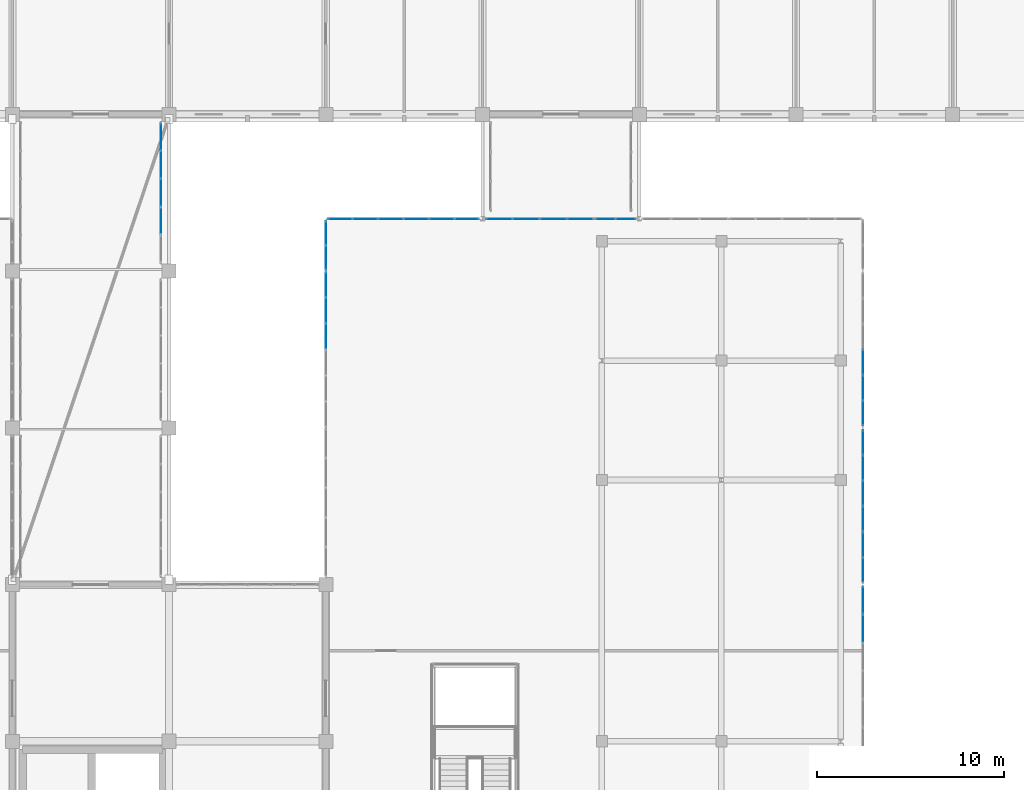
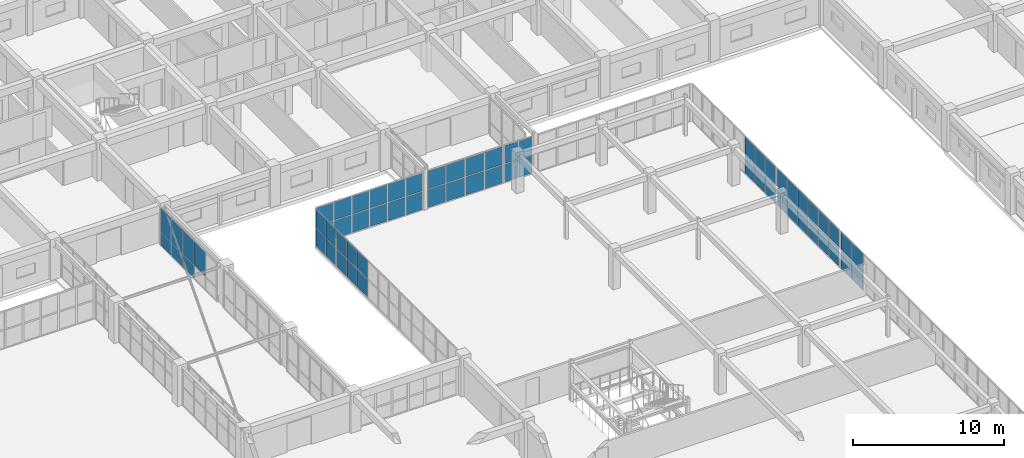
# One storey, part 155 of 200: 63 plates, 9 elements without a shape of their own.
"""IFC4 building model written with IfcOpenShell, lengths in metres."""

from ifc_helpers import new_model, si_unit, direction, frame, origin, origin_2d, place, context, subcontext, project, spatial, rectangle, extrude, material, layer, layer_set, type_object, element, aggregate, save


model = new_model("IFC4")

# Units and contexts
model_context = context("Model", 3, precision=1e-05, world=origin(), true_north=direction((0.0, 1.0)))
body_context = subcontext(model_context, "Body", "Model", "MODEL_VIEW")
ifc_project = project(units=[si_unit("LENGTHUNIT", "METRE"), si_unit("AREAUNIT", "SQUARE_METRE"), si_unit("VOLUMEUNIT", "CUBIC_METRE"), si_unit("PLANEANGLEUNIT", "RADIAN"), si_unit("MASSUNIT", "GRAM", prefix="KILO")], contexts=[model_context])

# Site, building, storey
site_placement = place(None, origin())
site = spatial("IfcSite", under=ifc_project, at=site_placement, CompositionType="ELEMENT")
building_placement = place(site_placement, origin())
building = spatial("IfcBuilding", under=site, at=building_placement, Name="Trelvath General Hospital", CompositionType="ELEMENT")
storey_placement = place(building_placement, frame((0.0, 0.0, 4.800048828125)))
storey = spatial("IfcBuildingStorey", under=building, at=storey_placement, Name="L01", CompositionType="ELEMENT", Elevation=4.800048828125)

# Curtain wall, plates
ifc_material_1 = material(Name="Anodised aluminium and low-E glass", Category="aluminium")
ifc_layer_1 = layer(ifc_material_1, 0.14990234375)
ifc_layer_set_1 = layer_set([ifc_layer_1], Name="Anodised aluminium and low-E glass")
curtain_wall_type_1 = type_object("IfcCurtainWallType", Name="CW CrystalCube 817 306 15", PredefinedType="USERDEFINED", material=ifc_layer_set_1)
curtain_wall_1_placement = place(storey_placement, origin())
curtain_wall_1 = element("IfcCurtainWall", 1, at=curtain_wall_1_placement, inside=storey, type_object=curtain_wall_type_1, Name="Crystal Cube Curtain Wall CUBE-E-T0 N1 L01", ObjectType="Unitised Glazed Curtain Wall", PredefinedType="USERDEFINED")
ifc_material_2 = material(Name="Low-E laminated glass", Category="glass")
ifc_layer_2 = layer(ifc_material_2, 0.028076171875)
ifc_layer_set_2 = layer_set([ifc_layer_2], Name="Low-E laminated glass")
plate_type = type_object("IfcPlateType", Name="CurtainPanel Glass28", PredefinedType="CURTAIN_PANEL", material=ifc_layer_set_2)
plate_1_placement = place(storey_placement, frame((93.17578125, 86.800048828125, 0.06005859375), z_axis=(0.0, 0.0, 1.0), x_axis=(1.0, 0.0, 0.0)))
plate_1 = element("IfcPlate", 2, at=plate_1_placement, type_object=plate_type, Name="CW-155 panel 1.1", PredefinedType="CURTAIN_PANEL", context=body_context, shape_type="SweptSolid", body=[
    extrude(rectangle(XDim=1.271728515625, YDim=0.028076171875, at=origin_2d()), origin(), (0.0, 0.0, 1.0), 1.43994140625),
])
plate_2_placement = place(storey_placement, frame((93.17578125, 86.800048828125, 1.56005859375), z_axis=(0.0, 0.0, 1.0), x_axis=(1.0, 0.0, 0.0)))
plate_2 = element("IfcPlate", 3, at=plate_2_placement, type_object=plate_type, Name="CW-155 panel 1.2", PredefinedType="CURTAIN_PANEL", context=body_context, shape_type="SweptSolid", body=[
    extrude(rectangle(XDim=1.271728515625, YDim=0.028076171875, at=origin_2d()), origin(), (0.0, 0.0, 1.0), 1.43994140625),
])
plate_3_placement = place(storey_placement, frame((94.5224609375, 86.800048828125, 0.06005859375), z_axis=(0.0, 0.0, 1.0), x_axis=(1.0, 0.0, 0.0)))
plate_3 = element("IfcPlate", 4, at=plate_3_placement, type_object=plate_type, Name="CW-155 panel 2.1", PredefinedType="CURTAIN_PANEL", context=body_context, shape_type="SweptSolid", body=[
    extrude(rectangle(XDim=1.3017578125, YDim=0.028076171875, at=origin_2d()), origin(), (0.0, 0.0, 1.0), 1.43994140625),
])
plate_4_placement = place(storey_placement, frame((94.5224609375, 86.800048828125, 1.56005859375), z_axis=(0.0, 0.0, 1.0), x_axis=(1.0, 0.0, 0.0)))
plate_4 = element("IfcPlate", 5, at=plate_4_placement, type_object=plate_type, Name="CW-155 panel 2.2", PredefinedType="CURTAIN_PANEL", context=body_context, shape_type="SweptSolid", body=[
    extrude(rectangle(XDim=1.3017578125, YDim=0.028076171875, at=origin_2d()), origin(), (0.0, 0.0, 1.0), 1.43994140625),
])
plate_5_placement = place(storey_placement, frame((95.88427734375, 86.800048828125, 0.06005859375), z_axis=(0.0, 0.0, 1.0), x_axis=(1.0, 0.0, 0.0)))
plate_5 = element("IfcPlate", 6, at=plate_5_placement, type_object=plate_type, Name="CW-155 panel 3.1", PredefinedType="CURTAIN_PANEL", context=body_context, shape_type="SweptSolid", body=[
    extrude(rectangle(XDim=1.3017578125, YDim=0.028076171875, at=origin_2d()), origin(), (0.0, 0.0, 1.0), 1.43994140625),
])
plate_6_placement = place(storey_placement, frame((95.88427734375, 86.800048828125, 1.56005859375), z_axis=(0.0, 0.0, 1.0), x_axis=(1.0, 0.0, 0.0)))
plate_6 = element("IfcPlate", 7, at=plate_6_placement, type_object=plate_type, Name="CW-155 panel 3.2", PredefinedType="CURTAIN_PANEL", context=body_context, shape_type="SweptSolid", body=[
    extrude(rectangle(XDim=1.3017578125, YDim=0.028076171875, at=origin_2d()), origin(), (0.0, 0.0, 1.0), 1.43994140625),
])
plate_7_placement = place(storey_placement, frame((97.245849609375, 86.800048828125, 0.06005859375), z_axis=(0.0, 0.0, 1.0), x_axis=(1.0, 0.0, 0.0)))
plate_7 = element("IfcPlate", 8, at=plate_7_placement, type_object=plate_type, Name="CW-155 panel 4.1", PredefinedType="CURTAIN_PANEL", context=body_context, shape_type="SweptSolid", body=[
    extrude(rectangle(XDim=1.3017578125, YDim=0.028076171875, at=origin_2d()), origin(), (0.0, 0.0, 1.0), 1.43994140625),
])
plate_8_placement = place(storey_placement, frame((97.245849609375, 86.800048828125, 1.56005859375), z_axis=(0.0, 0.0, 1.0), x_axis=(1.0, 0.0, 0.0)))
plate_8 = element("IfcPlate", 9, at=plate_8_placement, type_object=plate_type, Name="CW-155 panel 4.2", PredefinedType="CURTAIN_PANEL", context=body_context, shape_type="SweptSolid", body=[
    extrude(rectangle(XDim=1.3017578125, YDim=0.028076171875, at=origin_2d()), origin(), (0.0, 0.0, 1.0), 1.43994140625),
])
plate_9_placement = place(storey_placement, frame((98.607421875, 86.800048828125, 0.06005859375), z_axis=(0.0, 0.0, 1.0), x_axis=(1.0, 0.0, 0.0)))
plate_9 = element("IfcPlate", 10, at=plate_9_placement, type_object=plate_type, Name="CW-155 panel 5.1", PredefinedType="CURTAIN_PANEL", context=body_context, shape_type="SweptSolid", body=[
    extrude(rectangle(XDim=1.3017578125, YDim=0.028076171875, at=origin_2d()), origin(), (0.0, 0.0, 1.0), 1.43994140625),
])
plate_10_placement = place(storey_placement, frame((98.607421875, 86.800048828125, 1.56005859375), z_axis=(0.0, 0.0, 1.0), x_axis=(1.0, 0.0, 0.0)))
plate_10 = element("IfcPlate", 11, at=plate_10_placement, type_object=plate_type, Name="CW-155 panel 5.2", PredefinedType="CURTAIN_PANEL", context=body_context, shape_type="SweptSolid", body=[
    extrude(rectangle(XDim=1.3017578125, YDim=0.028076171875, at=origin_2d()), origin(), (0.0, 0.0, 1.0), 1.43994140625),
])
plate_11_placement = place(storey_placement, frame((99.9541015625, 86.800048828125, 0.06005859375), z_axis=(0.0, 0.0, 1.0), x_axis=(1.0, 0.0, 0.0)))
plate_11 = element("IfcPlate", 12, at=plate_11_placement, type_object=plate_type, Name="CW-155 panel 6.1", PredefinedType="CURTAIN_PANEL", context=body_context, shape_type="SweptSolid", body=[
    extrude(rectangle(XDim=1.271728515625, YDim=0.028076171875, at=origin_2d()), origin(), (0.0, 0.0, 1.0), 1.43994140625),
])
plate_12_placement = place(storey_placement, frame((99.9541015625, 86.800048828125, 1.56005859375), z_axis=(0.0, 0.0, 1.0), x_axis=(1.0, 0.0, 0.0)))
plate_12 = element("IfcPlate", 13, at=plate_12_placement, type_object=plate_type, Name="CW-155 panel 6.2", PredefinedType="CURTAIN_PANEL", context=body_context, shape_type="SweptSolid", body=[
    extrude(rectangle(XDim=1.271728515625, YDim=0.028076171875, at=origin_2d()), origin(), (0.0, 0.0, 1.0), 1.43994140625),
])
aggregate(curtain_wall_1, [plate_1, plate_2, plate_3, plate_4, plate_5, plate_6, plate_7, plate_8, plate_9, plate_10, plate_11, plate_12])

ifc_material_3 = material(Name="Anodised aluminium and low-E glass", Category="aluminium")
ifc_layer_3 = layer(ifc_material_3, 0.14990234375)
ifc_layer_set_3 = layer_set([ifc_layer_3], Name="Anodised aluminium and low-E glass")
curtain_wall_type_2 = type_object("IfcCurtainWallType", Name="CW CrystalCube 583 306 15", PredefinedType="USERDEFINED", material=ifc_layer_set_3)
curtain_wall_2_placement = place(storey_placement, origin())
curtain_wall_2 = element("IfcCurtainWall", 14, at=curtain_wall_2_placement, inside=storey, type_object=curtain_wall_type_2, Name="Crystal Cube Curtain Wall CUBE-E-T0 N2 L01", ObjectType="Unitised Glazed Curtain Wall", PredefinedType="USERDEFINED")
plate_13_placement = place(storey_placement, frame((101.69384765625, 86.800048828125, 0.06005859375), z_axis=(0.0, 0.0, 1.0), x_axis=(1.0, 0.0, 0.0)))
plate_13 = element("IfcPlate", 15, at=plate_13_placement, type_object=plate_type, Name="CW-156 panel 1.1", PredefinedType="CURTAIN_PANEL", context=body_context, shape_type="SweptSolid", body=[
    extrude(rectangle(XDim=1.367431640625, YDim=0.028076171875, at=origin_2d()), origin(), (0.0, 0.0, 1.0), 1.43994140625),
])
plate_14_placement = place(storey_placement, frame((101.69384765625, 86.800048828125, 1.56005859375), z_axis=(0.0, 0.0, 1.0), x_axis=(1.0, 0.0, 0.0)))
plate_14 = element("IfcPlate", 16, at=plate_14_placement, type_object=plate_type, Name="CW-156 panel 1.2", PredefinedType="CURTAIN_PANEL", context=body_context, shape_type="SweptSolid", body=[
    extrude(rectangle(XDim=1.367431640625, YDim=0.028076171875, at=origin_2d()), origin(), (0.0, 0.0, 1.0), 1.43994140625),
])
plate_15_placement = place(storey_placement, frame((103.13623046875, 86.800048828125, 0.06005859375), z_axis=(0.0, 0.0, 1.0), x_axis=(1.0, 0.0, 0.0)))
plate_15 = element("IfcPlate", 17, at=plate_15_placement, type_object=plate_type, Name="CW-156 panel 2.1", PredefinedType="CURTAIN_PANEL", context=body_context, shape_type="SweptSolid", body=[
    extrude(rectangle(XDim=1.3974609375, YDim=0.028076171875, at=origin_2d()), origin(), (0.0, 0.0, 1.0), 1.43994140625),
])
plate_16_placement = place(storey_placement, frame((103.13623046875, 86.800048828125, 1.56005859375), z_axis=(0.0, 0.0, 1.0), x_axis=(1.0, 0.0, 0.0)))
plate_16 = element("IfcPlate", 18, at=plate_16_placement, type_object=plate_type, Name="CW-156 panel 2.2", PredefinedType="CURTAIN_PANEL", context=body_context, shape_type="SweptSolid", body=[
    extrude(rectangle(XDim=1.3974609375, YDim=0.028076171875, at=origin_2d()), origin(), (0.0, 0.0, 1.0), 1.43994140625),
])
plate_17_placement = place(storey_placement, frame((104.59375, 86.800048828125, 0.06005859375), z_axis=(0.0, 0.0, 1.0), x_axis=(1.0, 0.0, 0.0)))
plate_17 = element("IfcPlate", 19, at=plate_17_placement, type_object=plate_type, Name="CW-156 panel 3.1", PredefinedType="CURTAIN_PANEL", context=body_context, shape_type="SweptSolid", body=[
    extrude(rectangle(XDim=1.3974609375, YDim=0.028076171875, at=origin_2d()), origin(), (0.0, 0.0, 1.0), 1.43994140625),
])
plate_18_placement = place(storey_placement, frame((104.59375, 86.800048828125, 1.56005859375), z_axis=(0.0, 0.0, 1.0), x_axis=(1.0, 0.0, 0.0)))
plate_18 = element("IfcPlate", 20, at=plate_18_placement, type_object=plate_type, Name="CW-156 panel 3.2", PredefinedType="CURTAIN_PANEL", context=body_context, shape_type="SweptSolid", body=[
    extrude(rectangle(XDim=1.3974609375, YDim=0.028076171875, at=origin_2d()), origin(), (0.0, 0.0, 1.0), 1.43994140625),
])
plate_19_placement = place(storey_placement, frame((106.0361328125, 86.800048828125, 0.06005859375), z_axis=(0.0, 0.0, 1.0), x_axis=(1.0, 0.0, 0.0)))
plate_19 = element("IfcPlate", 21, at=plate_19_placement, type_object=plate_type, Name="CW-156 panel 4.1", PredefinedType="CURTAIN_PANEL", context=body_context, shape_type="SweptSolid", body=[
    extrude(rectangle(XDim=1.367431640625, YDim=0.028076171875, at=origin_2d()), origin(), (0.0, 0.0, 1.0), 1.43994140625),
])
plate_20_placement = place(storey_placement, frame((106.0361328125, 86.800048828125, 1.56005859375), z_axis=(0.0, 0.0, 1.0), x_axis=(1.0, 0.0, 0.0)))
plate_20 = element("IfcPlate", 22, at=plate_20_placement, type_object=plate_type, Name="CW-156 panel 4.2", PredefinedType="CURTAIN_PANEL", context=body_context, shape_type="SweptSolid", body=[
    extrude(rectangle(XDim=1.367431640625, YDim=0.028076171875, at=origin_2d()), origin(), (0.0, 0.0, 1.0), 1.43994140625),
])
aggregate(curtain_wall_2, [plate_13, plate_14, plate_15, plate_16, plate_17, plate_18, plate_19, plate_20])

ifc_material_4 = material(Name="Anodised aluminium and low-E glass", Category="aluminium")
ifc_layer_4 = layer(ifc_material_4, 0.14990234375)
ifc_layer_set_4 = layer_set([ifc_layer_4], Name="Anodised aluminium and low-E glass")
curtain_wall_type_3 = type_object("IfcCurtainWallType", Name="CW CrystalCube 223 306 15", PredefinedType="USERDEFINED", material=ifc_layer_set_4)
curtain_wall_3_placement = place(storey_placement, origin())
curtain_wall_3 = element("IfcCurtainWall", 23, at=curtain_wall_3_placement, inside=storey, type_object=curtain_wall_type_3, Name="Crystal Cube Curtain Wall CUBE-E-T0 N3 L01", ObjectType="Unitised Glazed Curtain Wall", PredefinedType="USERDEFINED")
plate_21_placement = place(storey_placement, frame((107.392578125, 86.800048828125, 0.06005859375), z_axis=(0.0, 0.0, 1.0), x_axis=(1.0, 0.0, 0.0)))
plate_21 = element("IfcPlate", 24, at=plate_21_placement, type_object=plate_type, Name="CW-157 panel 1.1", PredefinedType="CURTAIN_PANEL", context=body_context, shape_type="SweptSolid", body=[
    extrude(rectangle(XDim=1.02490234375, YDim=0.028076171875, at=origin_2d()), origin(), (0.0, 0.0, 1.0), 1.43994140625),
])
plate_22_placement = place(storey_placement, frame((107.392578125, 86.800048828125, 1.56005859375), z_axis=(0.0, 0.0, 1.0), x_axis=(1.0, 0.0, 0.0)))
plate_22 = element("IfcPlate", 25, at=plate_22_placement, type_object=plate_type, Name="CW-157 panel 1.2", PredefinedType="CURTAIN_PANEL", context=body_context, shape_type="SweptSolid", body=[
    extrude(rectangle(XDim=1.02490234375, YDim=0.028076171875, at=origin_2d()), origin(), (0.0, 0.0, 1.0), 1.43994140625),
])
plate_23_placement = place(storey_placement, frame((108.4775390625, 86.800048828125, 0.06005859375), z_axis=(0.0, 0.0, 1.0), x_axis=(1.0, 0.0, 0.0)))
plate_23 = element("IfcPlate", 26, at=plate_23_placement, type_object=plate_type, Name="CW-157 panel 2.1", PredefinedType="CURTAIN_PANEL", context=body_context, shape_type="SweptSolid", body=[
    extrude(rectangle(XDim=1.02490234375, YDim=0.028076171875, at=origin_2d()), origin(), (0.0, 0.0, 1.0), 1.43994140625),
])
plate_24_placement = place(storey_placement, frame((108.4775390625, 86.800048828125, 1.56005859375), z_axis=(0.0, 0.0, 1.0), x_axis=(1.0, 0.0, 0.0)))
plate_24 = element("IfcPlate", 27, at=plate_24_placement, type_object=plate_type, Name="CW-157 panel 2.2", PredefinedType="CURTAIN_PANEL", context=body_context, shape_type="SweptSolid", body=[
    extrude(rectangle(XDim=1.02490234375, YDim=0.028076171875, at=origin_2d()), origin(), (0.0, 0.0, 1.0), 1.43994140625),
])
aggregate(curtain_wall_3, [plate_21, plate_22, plate_23, plate_24])

ifc_material_5 = material(Name="Anodised aluminium and low-E glass", Category="aluminium")
ifc_layer_5 = layer(ifc_material_5, 0.14990234375)
ifc_layer_set_5 = layer_set([ifc_layer_5], Name="Anodised aluminium and low-E glass")
curtain_wall_type_4 = type_object("IfcCurtainWallType", Name="CW CrystalCube 1664 306 15", PredefinedType="USERDEFINED", material=ifc_layer_set_5)
curtain_wall_4_placement = place(storey_placement, origin())
curtain_wall_4 = element("IfcCurtainWall", 28, at=curtain_wall_4_placement, inside=storey, type_object=curtain_wall_type_4, Name="Crystal Cube Curtain Wall CUBE-E-T0 E4 L01", ObjectType="Unitised Glazed Curtain Wall", PredefinedType="USERDEFINED")
plate_25_placement = place(storey_placement, frame((121.199951171875, 66.3486328125, 0.06005859375), z_axis=(0.0, 0.0, 1.0), x_axis=(0.0, -1.0, 0.0)))
plate_25 = element("IfcPlate", 29, at=plate_25_placement, type_object=plate_type, Name="CW-165 panel 1.1", PredefinedType="CURTAIN_PANEL", context=body_context, shape_type="SweptSolid", body=[
    extrude(rectangle(XDim=1.422607421875, YDim=0.028076171875, at=origin_2d()), origin(), (0.0, 0.0, 1.0), 1.43994140625),
])
plate_26_placement = place(storey_placement, frame((121.199951171875, 66.3486328125, 1.56005859375), z_axis=(0.0, 0.0, 1.0), x_axis=(0.0, -1.0, 0.0)))
plate_26 = element("IfcPlate", 30, at=plate_26_placement, type_object=plate_type, Name="CW-165 panel 1.2", PredefinedType="CURTAIN_PANEL", context=body_context, shape_type="SweptSolid", body=[
    extrude(rectangle(XDim=1.422607421875, YDim=0.028076171875, at=origin_2d()), origin(), (0.0, 0.0, 1.0), 1.43994140625),
])
plate_27_placement = place(storey_placement, frame((121.199951171875, 64.850830078125, 0.06005859375), z_axis=(0.0, 0.0, 1.0), x_axis=(0.0, -1.0, 0.0)))
plate_27 = element("IfcPlate", 31, at=plate_27_placement, type_object=plate_type, Name="CW-165 panel 2.1", PredefinedType="CURTAIN_PANEL", context=body_context, shape_type="SweptSolid", body=[
    extrude(rectangle(XDim=1.45263671875, YDim=0.028076171875, at=origin_2d()), origin(), (0.0, 0.0, 1.0), 1.43994140625),
])
plate_28_placement = place(storey_placement, frame((121.199951171875, 64.850830078125, 1.56005859375), z_axis=(0.0, 0.0, 1.0), x_axis=(0.0, -1.0, 0.0)))
plate_28 = element("IfcPlate", 32, at=plate_28_placement, type_object=plate_type, Name="CW-165 panel 2.2", PredefinedType="CURTAIN_PANEL", context=body_context, shape_type="SweptSolid", body=[
    extrude(rectangle(XDim=1.45263671875, YDim=0.028076171875, at=origin_2d()), origin(), (0.0, 0.0, 1.0), 1.43994140625),
])
aggregate(curtain_wall_4, [plate_25, plate_26, plate_27, plate_28])

ifc_material_6 = material(Name="Anodised aluminium and low-E glass", Category="aluminium")
ifc_layer_6 = layer(ifc_material_6, 0.14990234375)
ifc_layer_set_6 = layer_set([ifc_layer_6], Name="Anodised aluminium and low-E glass")
curtain_wall_type_5 = type_object("IfcCurtainWallType", Name="CW CrystalCube 824 306 15", PredefinedType="USERDEFINED", material=ifc_layer_set_6)
curtain_wall_5_placement = place(storey_placement, origin())
curtain_wall_5 = element("IfcCurtainWall", 33, at=curtain_wall_5_placement, inside=storey, type_object=curtain_wall_type_5, Name="Crystal Cube Curtain Wall CUBE-E-T0 E5 L01", ObjectType="Unitised Glazed Curtain Wall", PredefinedType="USERDEFINED")
plate_29_placement = place(storey_placement, frame((121.199951171875, 74.818359375, 0.06005859375), z_axis=(0.0, 0.0, 1.0), x_axis=(0.0, -1.0, 0.0)))
plate_29 = element("IfcPlate", 34, at=plate_29_placement, type_object=plate_type, Name="CW-166 panel 1.1", PredefinedType="CURTAIN_PANEL", context=body_context, shape_type="SweptSolid", body=[
    extrude(rectangle(XDim=1.283447265625, YDim=0.028076171875, at=origin_2d()), origin(), (0.0, 0.0, 1.0), 1.43994140625),
])
plate_30_placement = place(storey_placement, frame((121.199951171875, 74.818359375, 1.56005859375), z_axis=(0.0, 0.0, 1.0), x_axis=(0.0, -1.0, 0.0)))
plate_30 = element("IfcPlate", 35, at=plate_30_placement, type_object=plate_type, Name="CW-166 panel 1.2", PredefinedType="CURTAIN_PANEL", context=body_context, shape_type="SweptSolid", body=[
    extrude(rectangle(XDim=1.283447265625, YDim=0.028076171875, at=origin_2d()), origin(), (0.0, 0.0, 1.0), 1.43994140625),
])
plate_31_placement = place(storey_placement, frame((121.199951171875, 73.4599609375, 0.06005859375), z_axis=(0.0, 0.0, 1.0), x_axis=(0.0, -1.0, 0.0)))
plate_31 = element("IfcPlate", 36, at=plate_31_placement, type_object=plate_type, Name="CW-166 panel 2.1", PredefinedType="CURTAIN_PANEL", context=body_context, shape_type="SweptSolid", body=[
    extrude(rectangle(XDim=1.313232421875, YDim=0.028076171875, at=origin_2d()), origin(), (0.0, 0.0, 1.0), 1.43994140625),
])
plate_32_placement = place(storey_placement, frame((121.199951171875, 73.4599609375, 1.56005859375), z_axis=(0.0, 0.0, 1.0), x_axis=(0.0, -1.0, 0.0)))
plate_32 = element("IfcPlate", 37, at=plate_32_placement, type_object=plate_type, Name="CW-166 panel 2.2", PredefinedType="CURTAIN_PANEL", context=body_context, shape_type="SweptSolid", body=[
    extrude(rectangle(XDim=1.313232421875, YDim=0.028076171875, at=origin_2d()), origin(), (0.0, 0.0, 1.0), 1.43994140625),
])
plate_33_placement = place(storey_placement, frame((121.199951171875, 72.086669921875, 0.06005859375), z_axis=(0.0, 0.0, 1.0), x_axis=(0.0, -1.0, 0.0)))
plate_33 = element("IfcPlate", 38, at=plate_33_placement, type_object=plate_type, Name="CW-166 panel 3.1", PredefinedType="CURTAIN_PANEL", context=body_context, shape_type="SweptSolid", body=[
    extrude(rectangle(XDim=1.313232421875, YDim=0.028076171875, at=origin_2d()), origin(), (0.0, 0.0, 1.0), 1.43994140625),
])
plate_34_placement = place(storey_placement, frame((121.199951171875, 72.086669921875, 1.56005859375), z_axis=(0.0, 0.0, 1.0), x_axis=(0.0, -1.0, 0.0)))
plate_34 = element("IfcPlate", 39, at=plate_34_placement, type_object=plate_type, Name="CW-166 panel 3.2", PredefinedType="CURTAIN_PANEL", context=body_context, shape_type="SweptSolid", body=[
    extrude(rectangle(XDim=1.313232421875, YDim=0.028076171875, at=origin_2d()), origin(), (0.0, 0.0, 1.0), 1.43994140625),
])
plate_35_placement = place(storey_placement, frame((121.199951171875, 70.71337890625, 0.06005859375), z_axis=(0.0, 0.0, 1.0), x_axis=(0.0, -1.0, 0.0)))
plate_35 = element("IfcPlate", 40, at=plate_35_placement, type_object=plate_type, Name="CW-166 panel 4.1", PredefinedType="CURTAIN_PANEL", context=body_context, shape_type="SweptSolid", body=[
    extrude(rectangle(XDim=1.313232421875, YDim=0.028076171875, at=origin_2d()), origin(), (0.0, 0.0, 1.0), 1.43994140625),
])
plate_36_placement = place(storey_placement, frame((121.199951171875, 70.71337890625, 1.56005859375), z_axis=(0.0, 0.0, 1.0), x_axis=(0.0, -1.0, 0.0)))
plate_36 = element("IfcPlate", 41, at=plate_36_placement, type_object=plate_type, Name="CW-166 panel 4.2", PredefinedType="CURTAIN_PANEL", context=body_context, shape_type="SweptSolid", body=[
    extrude(rectangle(XDim=1.313232421875, YDim=0.028076171875, at=origin_2d()), origin(), (0.0, 0.0, 1.0), 1.43994140625),
])
plate_37_placement = place(storey_placement, frame((121.199951171875, 69.340087890625, 0.06005859375), z_axis=(0.0, 0.0, 1.0), x_axis=(0.0, -1.0, 0.0)))
plate_37 = element("IfcPlate", 42, at=plate_37_placement, type_object=plate_type, Name="CW-166 panel 5.1", PredefinedType="CURTAIN_PANEL", context=body_context, shape_type="SweptSolid", body=[
    extrude(rectangle(XDim=1.313232421875, YDim=0.028076171875, at=origin_2d()), origin(), (0.0, 0.0, 1.0), 1.43994140625),
])
plate_38_placement = place(storey_placement, frame((121.199951171875, 69.340087890625, 1.56005859375), z_axis=(0.0, 0.0, 1.0), x_axis=(0.0, -1.0, 0.0)))
plate_38 = element("IfcPlate", 43, at=plate_38_placement, type_object=plate_type, Name="CW-166 panel 5.2", PredefinedType="CURTAIN_PANEL", context=body_context, shape_type="SweptSolid", body=[
    extrude(rectangle(XDim=1.313232421875, YDim=0.028076171875, at=origin_2d()), origin(), (0.0, 0.0, 1.0), 1.43994140625),
])
plate_39_placement = place(storey_placement, frame((121.199951171875, 67.981689453125, 0.06005859375), z_axis=(0.0, 0.0, 1.0), x_axis=(0.0, -1.0, 0.0)))
plate_39 = element("IfcPlate", 44, at=plate_39_placement, type_object=plate_type, Name="CW-166 panel 6.1", PredefinedType="CURTAIN_PANEL", context=body_context, shape_type="SweptSolid", body=[
    extrude(rectangle(XDim=1.283447265625, YDim=0.028076171875, at=origin_2d()), origin(), (0.0, 0.0, 1.0), 1.43994140625),
])
plate_40_placement = place(storey_placement, frame((121.199951171875, 67.981689453125, 1.56005859375), z_axis=(0.0, 0.0, 1.0), x_axis=(0.0, -1.0, 0.0)))
plate_40 = element("IfcPlate", 45, at=plate_40_placement, type_object=plate_type, Name="CW-166 panel 6.2", PredefinedType="CURTAIN_PANEL", context=body_context, shape_type="SweptSolid", body=[
    extrude(rectangle(XDim=1.283447265625, YDim=0.028076171875, at=origin_2d()), origin(), (0.0, 0.0, 1.0), 1.43994140625),
])
aggregate(curtain_wall_5, [plate_29, plate_30, plate_31, plate_32, plate_33, plate_34, plate_35, plate_36, plate_37, plate_38, plate_39, plate_40])

curtain_wall_6_placement = place(storey_placement, origin())
curtain_wall_6 = element("IfcCurtainWall", 46, at=curtain_wall_6_placement, inside=storey, type_object=curtain_wall_type_5, Name="Crystal Cube Curtain Wall CUBE-E-T0 E6 L01", ObjectType="Unitised Glazed Curtain Wall", PredefinedType="USERDEFINED")
plate_41_placement = place(storey_placement, frame((121.199951171875, 79.11328125, 0.06005859375), z_axis=(0.0, 0.0, 1.0), x_axis=(0.0, -1.0, 0.0)))
plate_41 = element("IfcPlate", 47, at=plate_41_placement, type_object=plate_type, Name="CW-168 panel 4.1", PredefinedType="CURTAIN_PANEL", context=body_context, shape_type="SweptSolid", body=[
    extrude(rectangle(XDim=1.313232421875, YDim=0.028076171875, at=origin_2d()), origin(), (0.0, 0.0, 1.0), 1.43994140625),
])
plate_42_placement = place(storey_placement, frame((121.199951171875, 79.11328125, 1.56005859375), z_axis=(0.0, 0.0, 1.0), x_axis=(0.0, -1.0, 0.0)))
plate_42 = element("IfcPlate", 48, at=plate_42_placement, type_object=plate_type, Name="CW-168 panel 4.2", PredefinedType="CURTAIN_PANEL", context=body_context, shape_type="SweptSolid", body=[
    extrude(rectangle(XDim=1.313232421875, YDim=0.028076171875, at=origin_2d()), origin(), (0.0, 0.0, 1.0), 1.43994140625),
])
plate_43_placement = place(storey_placement, frame((121.199951171875, 77.739990234375, 0.06005859375), z_axis=(0.0, 0.0, 1.0), x_axis=(0.0, -1.0, 0.0)))
plate_43 = element("IfcPlate", 49, at=plate_43_placement, type_object=plate_type, Name="CW-168 panel 5.1", PredefinedType="CURTAIN_PANEL", context=body_context, shape_type="SweptSolid", body=[
    extrude(rectangle(XDim=1.313232421875, YDim=0.028076171875, at=origin_2d()), origin(), (0.0, 0.0, 1.0), 1.43994140625),
])
plate_44_placement = place(storey_placement, frame((121.199951171875, 77.739990234375, 1.56005859375), z_axis=(0.0, 0.0, 1.0), x_axis=(0.0, -1.0, 0.0)))
plate_44 = element("IfcPlate", 50, at=plate_44_placement, type_object=plate_type, Name="CW-168 panel 5.2", PredefinedType="CURTAIN_PANEL", context=body_context, shape_type="SweptSolid", body=[
    extrude(rectangle(XDim=1.313232421875, YDim=0.028076171875, at=origin_2d()), origin(), (0.0, 0.0, 1.0), 1.43994140625),
])
plate_45_placement = place(storey_placement, frame((121.199951171875, 76.381591796875, 0.06005859375), z_axis=(0.0, 0.0, 1.0), x_axis=(0.0, -1.0, 0.0)))
plate_45 = element("IfcPlate", 51, at=plate_45_placement, type_object=plate_type, Name="CW-168 panel 6.1", PredefinedType="CURTAIN_PANEL", context=body_context, shape_type="SweptSolid", body=[
    extrude(rectangle(XDim=1.283447265625, YDim=0.028076171875, at=origin_2d()), origin(), (0.0, 0.0, 1.0), 1.43994140625),
])
plate_46_placement = place(storey_placement, frame((121.199951171875, 76.381591796875, 1.56005859375), z_axis=(0.0, 0.0, 1.0), x_axis=(0.0, -1.0, 0.0)))
plate_46 = element("IfcPlate", 52, at=plate_46_placement, type_object=plate_type, Name="CW-168 panel 6.2", PredefinedType="CURTAIN_PANEL", context=body_context, shape_type="SweptSolid", body=[
    extrude(rectangle(XDim=1.283447265625, YDim=0.028076171875, at=origin_2d()), origin(), (0.0, 0.0, 1.0), 1.43994140625),
])
aggregate(curtain_wall_6, [plate_41, plate_42, plate_43, plate_44, plate_45, plate_46])

ifc_material_7 = material(Name="Anodised aluminium and low-E glass", Category="aluminium")
ifc_layer_7 = layer(ifc_material_7, 0.14990234375)
ifc_layer_set_7 = layer_set([ifc_layer_7], Name="Anodised aluminium and low-E glass")
curtain_wall_type_6 = type_object("IfcCurtainWallType", Name="CW CrystalCube 836 306 15", PredefinedType="USERDEFINED", material=ifc_layer_set_7)
curtain_wall_7_placement = place(storey_placement, origin())
curtain_wall_7 = element("IfcCurtainWall", 53, at=curtain_wall_7_placement, inside=storey, type_object=curtain_wall_type_6, Name="Crystal Cube Curtain Wall CUBE-E-T0 W6 L01", ObjectType="Unitised Glazed Curtain Wall", PredefinedType="USERDEFINED")
plate_47_placement = place(storey_placement, frame((92.39990234375, 80.49658203125, 0.06005859375), z_axis=(0.0, 0.0, 1.0), x_axis=(0.0, 1.0, 0.0)))
plate_47 = element("IfcPlate", 54, at=plate_47_placement, type_object=plate_type, Name="CW-169 panel 4.1", PredefinedType="CURTAIN_PANEL", context=body_context, shape_type="SweptSolid", body=[
    extrude(rectangle(XDim=1.333251953125, YDim=0.028076171875, at=origin_2d()), origin(), (0.0, 0.0, 1.0), 1.43994140625),
])
plate_48_placement = place(storey_placement, frame((92.39990234375, 80.49658203125, 1.56005859375), z_axis=(0.0, 0.0, 1.0), x_axis=(0.0, 1.0, 0.0)))
plate_48 = element("IfcPlate", 55, at=plate_48_placement, type_object=plate_type, Name="CW-169 panel 4.2", PredefinedType="CURTAIN_PANEL", context=body_context, shape_type="SweptSolid", body=[
    extrude(rectangle(XDim=1.333251953125, YDim=0.028076171875, at=origin_2d()), origin(), (0.0, 0.0, 1.0), 1.43994140625),
])
plate_49_placement = place(storey_placement, frame((92.39990234375, 81.889892578125, 0.06005859375), z_axis=(0.0, 0.0, 1.0), x_axis=(0.0, 1.0, 0.0)))
plate_49 = element("IfcPlate", 56, at=plate_49_placement, type_object=plate_type, Name="CW-169 panel 5.1", PredefinedType="CURTAIN_PANEL", context=body_context, shape_type="SweptSolid", body=[
    extrude(rectangle(XDim=1.333251953125, YDim=0.028076171875, at=origin_2d()), origin(), (0.0, 0.0, 1.0), 1.43994140625),
])
plate_50_placement = place(storey_placement, frame((92.39990234375, 81.889892578125, 1.56005859375), z_axis=(0.0, 0.0, 1.0), x_axis=(0.0, 1.0, 0.0)))
plate_50 = element("IfcPlate", 57, at=plate_50_placement, type_object=plate_type, Name="CW-169 panel 5.2", PredefinedType="CURTAIN_PANEL", context=body_context, shape_type="SweptSolid", body=[
    extrude(rectangle(XDim=1.333251953125, YDim=0.028076171875, at=origin_2d()), origin(), (0.0, 0.0, 1.0), 1.43994140625),
])
plate_51_placement = place(storey_placement, frame((92.39990234375, 83.268310546875, 0.06005859375), z_axis=(0.0, 0.0, 1.0), x_axis=(0.0, 1.0, 0.0)))
plate_51 = element("IfcPlate", 58, at=plate_51_placement, type_object=plate_type, Name="CW-169 panel 6.1", PredefinedType="CURTAIN_PANEL", context=body_context, shape_type="SweptSolid", body=[
    extrude(rectangle(XDim=1.30322265625, YDim=0.028076171875, at=origin_2d()), origin(), (0.0, 0.0, 1.0), 1.43994140625),
])
plate_52_placement = place(storey_placement, frame((92.39990234375, 83.268310546875, 1.56005859375), z_axis=(0.0, 0.0, 1.0), x_axis=(0.0, 1.0, 0.0)))
plate_52 = element("IfcPlate", 59, at=plate_52_placement, type_object=plate_type, Name="CW-169 panel 6.2", PredefinedType="CURTAIN_PANEL", context=body_context, shape_type="SweptSolid", body=[
    extrude(rectangle(XDim=1.30322265625, YDim=0.028076171875, at=origin_2d()), origin(), (0.0, 0.0, 1.0), 1.43994140625),
])
aggregate(curtain_wall_7, [plate_47, plate_48, plate_49, plate_50, plate_51, plate_52])

ifc_material_8 = material(Name="Anodised aluminium and low-E glass", Category="aluminium")
ifc_layer_8 = layer(ifc_material_8, 0.14990234375)
ifc_layer_set_8 = layer_set([ifc_layer_8], Name="Anodised aluminium and low-E glass")
curtain_wall_type_7 = type_object("IfcCurtainWallType", Name="CW CrystalCube 270 306 15", PredefinedType="USERDEFINED", material=ifc_layer_set_8)
curtain_wall_8_placement = place(storey_placement, origin())
curtain_wall_8 = element("IfcCurtainWall", 60, at=curtain_wall_8_placement, inside=storey, type_object=curtain_wall_type_7, Name="Crystal Cube Curtain Wall CUBE-E-T0 W7 L01", ObjectType="Unitised Glazed Curtain Wall", PredefinedType="USERDEFINED")
plate_53_placement = place(storey_placement, frame((92.39990234375, 84.7099609375, 0.06005859375), z_axis=(0.0, 0.0, 1.0), x_axis=(0.0, 1.0, 0.0)))
plate_53 = element("IfcPlate", 61, at=plate_53_placement, type_object=plate_type, Name="CW-171 panel 1.1", PredefinedType="CURTAIN_PANEL", context=body_context, shape_type="SweptSolid", body=[
    extrude(rectangle(XDim=1.260009765625, YDim=0.028076171875, at=origin_2d()), origin(), (0.0, 0.0, 1.0), 1.43994140625),
])
plate_54_placement = place(storey_placement, frame((92.39990234375, 84.7099609375, 1.56005859375), z_axis=(0.0, 0.0, 1.0), x_axis=(0.0, 1.0, 0.0)))
plate_54 = element("IfcPlate", 62, at=plate_54_placement, type_object=plate_type, Name="CW-171 panel 1.2", PredefinedType="CURTAIN_PANEL", context=body_context, shape_type="SweptSolid", body=[
    extrude(rectangle(XDim=1.260009765625, YDim=0.028076171875, at=origin_2d()), origin(), (0.0, 0.0, 1.0), 1.43994140625),
])
plate_55_placement = place(storey_placement, frame((92.39990234375, 86.030029296875, 0.06005859375), z_axis=(0.0, 0.0, 1.0), x_axis=(0.0, 1.0, 0.0)))
plate_55 = element("IfcPlate", 63, at=plate_55_placement, type_object=plate_type, Name="CW-171 panel 2.1", PredefinedType="CURTAIN_PANEL", context=body_context, shape_type="SweptSolid", body=[
    extrude(rectangle(XDim=1.260009765625, YDim=0.028076171875, at=origin_2d()), origin(), (0.0, 0.0, 1.0), 1.43994140625),
])
plate_56_placement = place(storey_placement, frame((92.39990234375, 86.030029296875, 1.56005859375), z_axis=(0.0, 0.0, 1.0), x_axis=(0.0, 1.0, 0.0)))
plate_56 = element("IfcPlate", 64, at=plate_56_placement, type_object=plate_type, Name="CW-171 panel 2.2", PredefinedType="CURTAIN_PANEL", context=body_context, shape_type="SweptSolid", body=[
    extrude(rectangle(XDim=1.260009765625, YDim=0.028076171875, at=origin_2d()), origin(), (0.0, 0.0, 1.0), 1.43994140625),
])
aggregate(curtain_wall_8, [plate_53, plate_54, plate_55, plate_56])

ifc_material_9 = material(Name="Anodised aluminium and low-E glass", Category="aluminium")
ifc_layer_9 = layer(ifc_material_9, 0.139892578125)
ifc_layer_set_9 = layer_set([ifc_layer_9], Name="Anodised aluminium and low-E glass")
curtain_wall_type_8 = type_object("IfcCurtainWallType", Name="CW Bridge 752 311", PredefinedType="USERDEFINED", material=ifc_layer_set_9)
curtain_wall_9_placement = place(storey_placement, origin())
curtain_wall_9 = element("IfcCurtainWall", 65, at=curtain_wall_9_placement, inside=storey, type_object=curtain_wall_type_8, Name="Glazed Bridge Curtain Wall BRG-N-C E L01", ObjectType="Unitised Glazed Curtain Wall", PredefinedType="USERDEFINED")
plate_57_placement = place(storey_placement, frame((83.56005859375, 91.193115234375, 0.06005859375), z_axis=(0.0, 0.0, 1.0), x_axis=(0.0, -1.0, 0.0)))
plate_57 = element("IfcPlate", 66, at=plate_57_placement, type_object=plate_type, Name="CW-177 panel 1.1", PredefinedType="CURTAIN_PANEL", context=body_context, shape_type="SweptSolid", body=[
    extrude(rectangle(XDim=1.4140625, YDim=0.028076171875, at=origin_2d()), origin(), (0.0, 0.0, 1.0), 1.010009765625),
])
plate_58_placement = place(storey_placement, frame((83.56005859375, 91.193115234375, 1.1298828125), z_axis=(0.0, 0.0, 1.0), x_axis=(0.0, -1.0, 0.0)))
plate_58 = element("IfcPlate", 67, at=plate_58_placement, type_object=plate_type, Name="CW-177 panel 1.2", PredefinedType="CURTAIN_PANEL", context=body_context, shape_type="SweptSolid", body=[
    extrude(rectangle(XDim=1.4140625, YDim=0.028076171875, at=origin_2d()), origin(), (0.0, 0.0, 1.0), 1.919921875),
])
plate_59_placement = place(storey_placement, frame((83.56005859375, 89.7041015625, 0.06005859375), z_axis=(0.0, 0.0, 1.0), x_axis=(0.0, -1.0, 0.0)))
plate_59 = element("IfcPlate", 68, at=plate_59_placement, type_object=plate_type, Name="CW-177 panel 2.1", PredefinedType="CURTAIN_PANEL", context=body_context, shape_type="SweptSolid", body=[
    extrude(rectangle(XDim=1.444091796875, YDim=0.028076171875, at=origin_2d()), origin(), (0.0, 0.0, 1.0), 1.010009765625),
])
plate_60_placement = place(storey_placement, frame((83.56005859375, 89.7041015625, 1.1298828125), z_axis=(0.0, 0.0, 1.0), x_axis=(0.0, -1.0, 0.0)))
plate_60 = element("IfcPlate", 69, at=plate_60_placement, type_object=plate_type, Name="CW-177 panel 2.2", PredefinedType="CURTAIN_PANEL", context=body_context, shape_type="SweptSolid", body=[
    extrude(rectangle(XDim=1.444091796875, YDim=0.028076171875, at=origin_2d()), origin(), (0.0, 0.0, 1.0), 1.919921875),
])
plate_61_placement = place(storey_placement, frame((83.56005859375, 88.199951171875, 0.06005859375), z_axis=(0.0, 0.0, 1.0), x_axis=(0.0, -1.0, 0.0)))
plate_61 = element("IfcPlate", 70, at=plate_61_placement, type_object=plate_type, Name="CW-177 panel 3.1", PredefinedType="CURTAIN_PANEL", context=body_context, shape_type="SweptSolid", body=[
    extrude(rectangle(XDim=1.444091796875, YDim=0.028076171875, at=origin_2d()), origin(), (0.0, 0.0, 1.0), 1.010009765625),
])
plate_62_placement = place(storey_placement, frame((83.56005859375, 88.199951171875, 1.1298828125), z_axis=(0.0, 0.0, 1.0), x_axis=(0.0, -1.0, 0.0)))
plate_62 = element("IfcPlate", 71, at=plate_62_placement, type_object=plate_type, Name="CW-177 panel 3.2", PredefinedType="CURTAIN_PANEL", context=body_context, shape_type="SweptSolid", body=[
    extrude(rectangle(XDim=1.444091796875, YDim=0.028076171875, at=origin_2d()), origin(), (0.0, 0.0, 1.0), 1.919921875),
])
plate_63_placement = place(storey_placement, frame((83.56005859375, 86.696044921875, 1.1298828125), z_axis=(0.0, 0.0, 1.0), x_axis=(0.0, -1.0, 0.0)))
plate_63 = element("IfcPlate", 72, at=plate_63_placement, type_object=plate_type, Name="CW-177 panel 4.2", PredefinedType="CURTAIN_PANEL", context=body_context, shape_type="SweptSolid", body=[
    extrude(rectangle(XDim=1.444091796875, YDim=0.028076171875, at=origin_2d()), origin(), (0.0, 0.0, 1.0), 1.919921875),
])
aggregate(curtain_wall_9, [plate_57, plate_58, plate_59, plate_60, plate_61, plate_62, plate_63])

save(model, "model.ifc")
